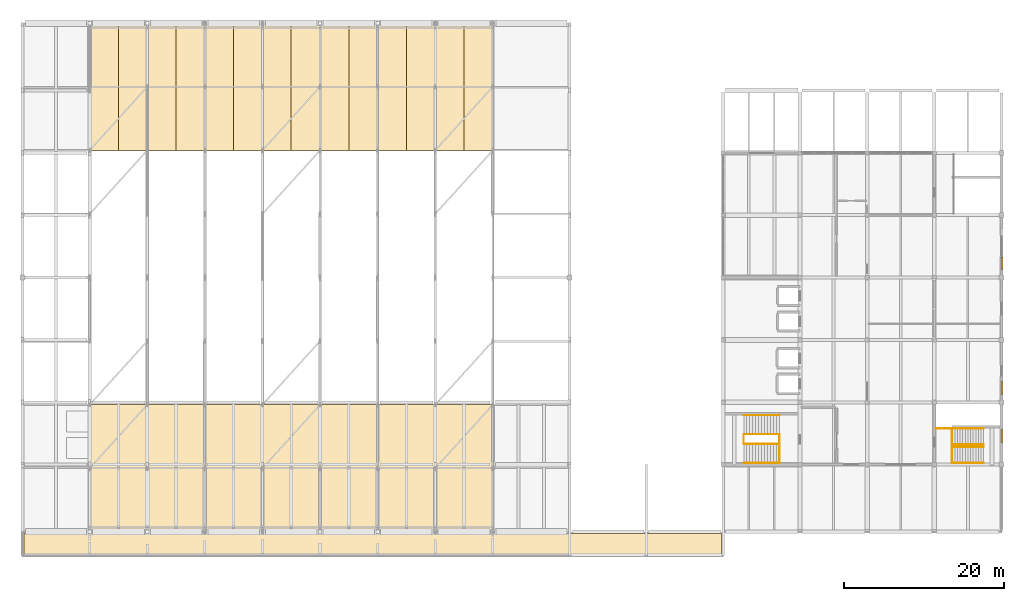
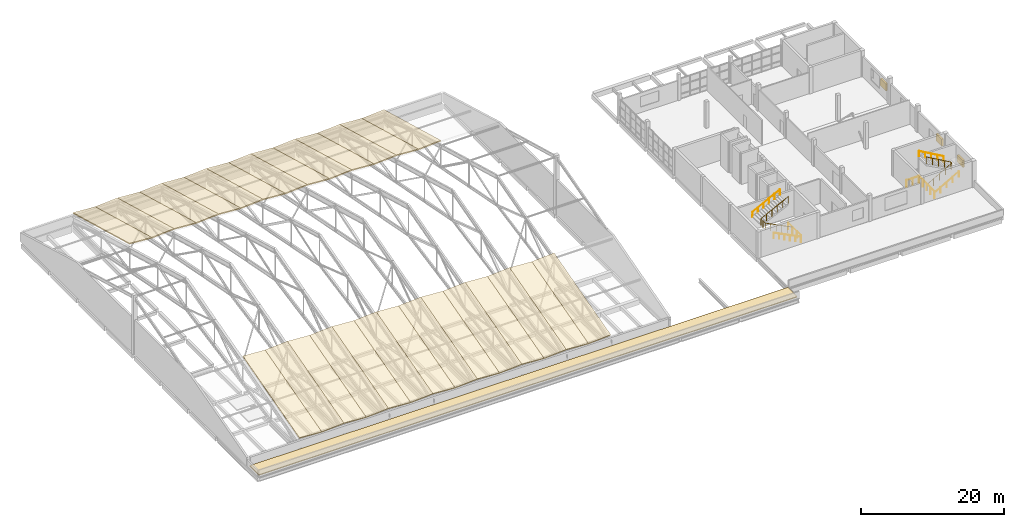
# One storey, part 52 of 53: 29 coverings, 8 railings, 3 shading devices.
"""IFC4 building model written with IfcOpenShell, lengths in metres."""

from ifc_helpers import new_model, si_unit, direction, frame, origin, origin_2d, place, context, subcontext, project, spatial, polyline, rectangle, circle, outline, extrude, material, layer, layer_set, type_object, element, save


model = new_model("IFC4")

# Units and contexts
model_context = context("Model", 3, precision=1e-05, world=origin(), true_north=direction((0.0, 1.0)))
body_context = subcontext(model_context, "Body", "Model", "MODEL_VIEW")
ifc_project = project(units=[si_unit("LENGTHUNIT", "METRE"), si_unit("AREAUNIT", "SQUARE_METRE"), si_unit("VOLUMEUNIT", "CUBIC_METRE"), si_unit("PLANEANGLEUNIT", "RADIAN"), si_unit("MASSUNIT", "GRAM", prefix="KILO")], contexts=[model_context])

# Site, building, storey
site_placement = place(None, origin())
site = spatial("IfcSite", under=ifc_project, at=site_placement, CompositionType="ELEMENT")
building_placement = place(site_placement, origin())
building = spatial("IfcBuilding", under=site, at=building_placement, Name="Pellamere Symphony Hall", CompositionType="ELEMENT")
storey_placement = place(building_placement, frame((0.0, 0.0, 24.0)))
storey = spatial("IfcBuildingStorey", under=building, at=storey_placement, Name="L05", CompositionType="ELEMENT", Elevation=24.0)

# Coverings
ifc_material_1 = material(Name="Standing-Seam Pre-Weathered Zinc Acoustic Roof Assembly", Category="aluminium")
ifc_layer_1 = layer(ifc_material_1, 0.159912109375, Name="Standing-Seam Pre-Weathered Zinc Acoustic Roof Assembly")
ifc_layer_set_1 = layer_set([ifc_layer_1], Name="Standing-Seam Pre-Weathered Zinc Acoustic Roof Assembly")
covering_type_1 = type_object("IfcCoveringType", Name="Envelope Covering RC-01 160mm", PredefinedType="ROOFING", material=ifc_layer_set_1)
covering_1_placement = place(storey_placement, frame((58.800048828125, 30.0, 1.89990234375), z_axis=(0.064140099885, -0.265041043219, 0.962101498282), x_axis=(0.997785157857, 0.0, -0.066519010524)))
element("IfcCovering", 1, at=covering_1_placement, inside=storey, type_object=covering_type_1, Name="Standing-Seam Zinc Crystal Roof Cladding 1.1", PredefinedType="ROOFING", context=body_context, shape_type="SweptSolid", body=[
    extrude(outline(polyline([(0.0, 0.0), (3.6078443212745532, 0.0), (3.3164826103841656, 16.48961840127618), (-0.2913617108903877, 16.48961840127618), (0.0, 0.0)])), origin(), (0.0, 0.0, -1.0), 0.159912109375),
])
covering_2_placement = place(storey_placement, frame((62.39990234375, 30.0, 1.659912109375), z_axis=(-0.064135768117, -0.26504111716, 0.962101766687), x_axis=(0.997785457248, 0.0, 0.066514519495)))
element("IfcCovering", 2, at=covering_2_placement, inside=storey, type_object=covering_type_1, Name="Standing-Seam Zinc Crystal Roof Cladding 1.2", PredefinedType="ROOFING", context=body_context, shape_type="SweptSolid", body=[
    extrude(outline(polyline([(0.0, 0.0), (3.608087921203156, 0.0), (3.8994299608179204, 16.489618748844133), (0.29134203961476457, 16.489618748844133), (0.0, 0.0)])), origin(), (0.0, 0.0, -1.0), 0.159912109375),
])
covering_3_placement = place(storey_placement, frame((58.800048828125, 77.699951171875, 6.280029296875), z_axis=(0.064140169067, 0.265037259486, 0.96210253601), x_axis=(0.997785157857, 0.0, -0.066519010524)))
element("IfcCovering", 3, at=covering_3_placement, inside=storey, type_object=covering_type_1, Name="Standing-Seam Zinc Crystal Roof Cladding 1.3", PredefinedType="ROOFING", context=body_context, shape_type="SweptSolid", body=[
    extrude(outline(polyline([(0.0, 0.0), (3.6078443212745532, 0.0), (3.899206032164941, 16.489853810859024), (0.2913617108903877, 16.489853810859024), (0.0, 0.0)])), origin(), (0.0, 0.0, -1.0), 0.159912109375),
])
covering_4_placement = place(storey_placement, frame((62.39990234375, 77.699951171875, 6.0400390625), z_axis=(-0.064135837294, 0.265037333426, 0.962102804416), x_axis=(0.997785457248, 0.0, 0.066514519495)))
element("IfcCovering", 4, at=covering_4_placement, inside=storey, type_object=covering_type_1, Name="Standing-Seam Zinc Crystal Roof Cladding 1.4", PredefinedType="ROOFING", context=body_context, shape_type="SweptSolid", body=[
    extrude(outline(polyline([(0.0, 0.0), (3.608087921203156, 0.0), (3.3167458815883912, 16.489854158422016), (-0.2913420396147646, 16.489854158422016), (0.0, 0.0)])), origin(), (0.0, 0.0, -1.0), 0.159912109375),
])
covering_5_placement = place(storey_placement, frame((66.0, 30.0, 1.89990234375), z_axis=(0.064135768117, -0.26504111716, 0.962101766687), x_axis=(0.997785457248, 0.0, -0.066514519495)))
element("IfcCovering", 5, at=covering_5_placement, inside=storey, type_object=covering_type_1, Name="Standing-Seam Zinc Crystal Roof Cladding 2.1", PredefinedType="ROOFING", context=body_context, shape_type="SweptSolid", body=[
    extrude(outline(polyline([(0.0, 0.0), (3.608087921203156, 0.0), (3.3167458815883912, 16.489618748844133), (-0.29134203961476457, 16.489618748844133), (0.0, 0.0)])), origin(), (0.0, 0.0, -1.0), 0.159912109375),
])
covering_6_placement = place(storey_placement, frame((69.60009765625, 30.0, 1.659912109375), z_axis=(-0.064140099885, -0.265041043219, 0.962101498282), x_axis=(0.997785157857, 0.0, 0.066519010524)))
element("IfcCovering", 6, at=covering_6_placement, inside=storey, type_object=covering_type_1, Name="Standing-Seam Zinc Crystal Roof Cladding 2.2", PredefinedType="ROOFING", context=body_context, shape_type="SweptSolid", body=[
    extrude(outline(polyline([(0.0, 0.0), (3.6078443212745532, 0.0), (3.899206032164941, 16.48961840127618), (0.2913617108903877, 16.48961840127618), (0.0, 0.0)])), origin(), (0.0, 0.0, -1.0), 0.159912109375),
])
covering_7_placement = place(storey_placement, frame((66.0, 77.699951171875, 6.280029296875), z_axis=(0.064135837294, 0.265037333426, 0.962102804416), x_axis=(0.997785457248, 0.0, -0.066514519495)))
element("IfcCovering", 7, at=covering_7_placement, inside=storey, type_object=covering_type_1, Name="Standing-Seam Zinc Crystal Roof Cladding 2.3", PredefinedType="ROOFING", context=body_context, shape_type="SweptSolid", body=[
    extrude(outline(polyline([(0.0, 0.0), (3.608087921203156, 0.0), (3.8994299608179204, 16.489854158422016), (0.2913420396147646, 16.489854158422016), (0.0, 0.0)])), origin(), (0.0, 0.0, -1.0), 0.159912109375),
])
covering_8_placement = place(storey_placement, frame((69.60009765625, 77.699951171875, 6.0400390625), z_axis=(-0.064140169067, 0.265037259486, 0.96210253601), x_axis=(0.997785157857, 0.0, 0.066519010524)))
element("IfcCovering", 8, at=covering_8_placement, inside=storey, type_object=covering_type_1, Name="Standing-Seam Zinc Crystal Roof Cladding 2.4", PredefinedType="ROOFING", context=body_context, shape_type="SweptSolid", body=[
    extrude(outline(polyline([(0.0, 0.0), (3.6078443212745532, 0.0), (3.3164826103841656, 16.489853810859024), (-0.2913617108903877, 16.489853810859024), (0.0, 0.0)])), origin(), (0.0, 0.0, -1.0), 0.159912109375),
])
covering_9_placement = place(storey_placement, frame((73.199951171875, 30.0, 1.89990234375), z_axis=(0.064135768117, -0.26504111716, 0.962101766687), x_axis=(0.997785457248, 0.0, -0.066514519495)))
element("IfcCovering", 9, at=covering_9_placement, inside=storey, type_object=covering_type_1, Name="Standing-Seam Zinc Crystal Roof Cladding 3.1", PredefinedType="ROOFING", context=body_context, shape_type="SweptSolid", body=[
    extrude(outline(polyline([(0.0, 0.0), (3.608087921203156, 0.0), (3.3167458815883912, 16.489618748844133), (-0.29134203961476457, 16.489618748844133), (0.0, 0.0)])), origin(), (0.0, 0.0, -1.0), 0.159912109375),
])
covering_10_placement = place(storey_placement, frame((76.800048828125, 30.0, 1.659912109375), z_axis=(-0.064140099885, -0.265041043219, 0.962101498282), x_axis=(0.997785157857, 0.0, 0.066519010524)))
element("IfcCovering", 10, at=covering_10_placement, inside=storey, type_object=covering_type_1, Name="Standing-Seam Zinc Crystal Roof Cladding 3.2", PredefinedType="ROOFING", context=body_context, shape_type="SweptSolid", body=[
    extrude(outline(polyline([(0.0, 0.0), (3.6078443212745532, 0.0), (3.899206032164941, 16.48961840127618), (0.2913617108903877, 16.48961840127618), (0.0, 0.0)])), origin(), (0.0, 0.0, -1.0), 0.159912109375),
])
covering_11_placement = place(storey_placement, frame((73.199951171875, 77.699951171875, 6.280029296875), z_axis=(0.064135837294, 0.265037333426, 0.962102804416), x_axis=(0.997785457248, 0.0, -0.066514519495)))
element("IfcCovering", 11, at=covering_11_placement, inside=storey, type_object=covering_type_1, Name="Standing-Seam Zinc Crystal Roof Cladding 3.3", PredefinedType="ROOFING", context=body_context, shape_type="SweptSolid", body=[
    extrude(outline(polyline([(0.0, 0.0), (3.608087921203156, 0.0), (3.8994299608179204, 16.489854158422016), (0.2913420396147646, 16.489854158422016), (0.0, 0.0)])), origin(), (0.0, 0.0, -1.0), 0.159912109375),
])
covering_12_placement = place(storey_placement, frame((76.800048828125, 77.699951171875, 6.0400390625), z_axis=(-0.064140169067, 0.265037259486, 0.96210253601), x_axis=(0.997785157857, 0.0, 0.066519010524)))
element("IfcCovering", 12, at=covering_12_placement, inside=storey, type_object=covering_type_1, Name="Standing-Seam Zinc Crystal Roof Cladding 3.4", PredefinedType="ROOFING", context=body_context, shape_type="SweptSolid", body=[
    extrude(outline(polyline([(0.0, 0.0), (3.6078443212745532, 0.0), (3.3164826103841656, 16.489853810859024), (-0.2913617108903877, 16.489853810859024), (0.0, 0.0)])), origin(), (0.0, 0.0, -1.0), 0.159912109375),
])
covering_13_placement = place(storey_placement, frame((80.39990234375, 30.0, 1.89990234375), z_axis=(0.064135768117, -0.26504111716, 0.962101766687), x_axis=(0.997785457248, 0.0, -0.066514519495)))
element("IfcCovering", 13, at=covering_13_placement, inside=storey, type_object=covering_type_1, Name="Standing-Seam Zinc Crystal Roof Cladding 4.1", PredefinedType="ROOFING", context=body_context, shape_type="SweptSolid", body=[
    extrude(outline(polyline([(0.0, 0.0), (3.608087921203156, 0.0), (3.3167458815883912, 16.489618748844133), (-0.29134203961476457, 16.489618748844133), (0.0, 0.0)])), origin(), (0.0, 0.0, -1.0), 0.159912109375),
])
covering_14_placement = place(storey_placement, frame((84.0, 30.0, 1.659912109375), z_axis=(-0.064135768117, -0.26504111716, 0.962101766687), x_axis=(0.997785457248, 0.0, 0.066514519495)))
element("IfcCovering", 14, at=covering_14_placement, inside=storey, type_object=covering_type_1, Name="Standing-Seam Zinc Crystal Roof Cladding 4.2", PredefinedType="ROOFING", context=body_context, shape_type="SweptSolid", body=[
    extrude(outline(polyline([(0.0, 0.0), (3.608087921203156, 0.0), (3.8994299608179204, 16.489618748844133), (0.29134203961476457, 16.489618748844133), (0.0, 0.0)])), origin(), (0.0, 0.0, -1.0), 0.159912109375),
])
covering_15_placement = place(storey_placement, frame((80.39990234375, 77.699951171875, 6.280029296875), z_axis=(0.064135837294, 0.265037333426, 0.962102804416), x_axis=(0.997785457248, 0.0, -0.066514519495)))
element("IfcCovering", 15, at=covering_15_placement, inside=storey, type_object=covering_type_1, Name="Standing-Seam Zinc Crystal Roof Cladding 4.3", PredefinedType="ROOFING", context=body_context, shape_type="SweptSolid", body=[
    extrude(outline(polyline([(0.0, 0.0), (3.608087921203156, 0.0), (3.8994299608179204, 16.489854158422016), (0.2913420396147646, 16.489854158422016), (0.0, 0.0)])), origin(), (0.0, 0.0, -1.0), 0.159912109375),
])
covering_16_placement = place(storey_placement, frame((84.0, 77.699951171875, 6.0400390625), z_axis=(-0.064135837294, 0.265037333426, 0.962102804416), x_axis=(0.997785457248, 0.0, 0.066514519495)))
element("IfcCovering", 16, at=covering_16_placement, inside=storey, type_object=covering_type_1, Name="Standing-Seam Zinc Crystal Roof Cladding 4.4", PredefinedType="ROOFING", context=body_context, shape_type="SweptSolid", body=[
    extrude(outline(polyline([(0.0, 0.0), (3.608087921203156, 0.0), (3.3167458815883912, 16.489854158422016), (-0.2913420396147646, 16.489854158422016), (0.0, 0.0)])), origin(), (0.0, 0.0, -1.0), 0.159912109375),
])
covering_17_placement = place(storey_placement, frame((87.60009765625, 30.0, 1.89990234375), z_axis=(0.064140099885, -0.265041043219, 0.962101498282), x_axis=(0.997785157857, 0.0, -0.066519010524)))
element("IfcCovering", 17, at=covering_17_placement, inside=storey, type_object=covering_type_1, Name="Standing-Seam Zinc Crystal Roof Cladding 5.1", PredefinedType="ROOFING", context=body_context, shape_type="SweptSolid", body=[
    extrude(outline(polyline([(0.0, 0.0), (3.6078443212745532, 0.0), (3.3164826103841656, 16.48961840127618), (-0.2913617108903877, 16.48961840127618), (0.0, 0.0)])), origin(), (0.0, 0.0, -1.0), 0.159912109375),
])
covering_18_placement = place(storey_placement, frame((91.199951171875, 30.0, 1.659912109375), z_axis=(-0.064135768117, -0.26504111716, 0.962101766687), x_axis=(0.997785457248, 0.0, 0.066514519495)))
element("IfcCovering", 18, at=covering_18_placement, inside=storey, type_object=covering_type_1, Name="Standing-Seam Zinc Crystal Roof Cladding 5.2", PredefinedType="ROOFING", context=body_context, shape_type="SweptSolid", body=[
    extrude(outline(polyline([(0.0, 0.0), (3.608087921203156, 0.0), (3.8994299608179204, 16.489618748844133), (0.29134203961476457, 16.489618748844133), (0.0, 0.0)])), origin(), (0.0, 0.0, -1.0), 0.159912109375),
])
covering_19_placement = place(storey_placement, frame((87.60009765625, 77.699951171875, 6.280029296875), z_axis=(0.064140169067, 0.265037259486, 0.96210253601), x_axis=(0.997785157857, 0.0, -0.066519010524)))
element("IfcCovering", 19, at=covering_19_placement, inside=storey, type_object=covering_type_1, Name="Standing-Seam Zinc Crystal Roof Cladding 5.3", PredefinedType="ROOFING", context=body_context, shape_type="SweptSolid", body=[
    extrude(outline(polyline([(0.0, 0.0), (3.6078443212745532, 0.0), (3.899206032164941, 16.489853810859024), (0.2913617108903877, 16.489853810859024), (0.0, 0.0)])), origin(), (0.0, 0.0, -1.0), 0.159912109375),
])
covering_20_placement = place(storey_placement, frame((91.199951171875, 77.699951171875, 6.0400390625), z_axis=(-0.064135837294, 0.265037333426, 0.962102804416), x_axis=(0.997785457248, 0.0, 0.066514519495)))
element("IfcCovering", 20, at=covering_20_placement, inside=storey, type_object=covering_type_1, Name="Standing-Seam Zinc Crystal Roof Cladding 5.4", PredefinedType="ROOFING", context=body_context, shape_type="SweptSolid", body=[
    extrude(outline(polyline([(0.0, 0.0), (3.608087921203156, 0.0), (3.3167458815883912, 16.489854158422016), (-0.2913420396147646, 16.489854158422016), (0.0, 0.0)])), origin(), (0.0, 0.0, -1.0), 0.159912109375),
])
covering_21_placement = place(storey_placement, frame((94.800048828125, 30.0, 1.89990234375), z_axis=(0.064140099885, -0.265041043219, 0.962101498282), x_axis=(0.997785157857, 0.0, -0.066519010524)))
element("IfcCovering", 21, at=covering_21_placement, inside=storey, type_object=covering_type_1, Name="Standing-Seam Zinc Crystal Roof Cladding 6.1", PredefinedType="ROOFING", context=body_context, shape_type="SweptSolid", body=[
    extrude(outline(polyline([(0.0, 0.0), (3.6078443212745532, 0.0), (3.3164826103841656, 16.48961840127618), (-0.2913617108903877, 16.48961840127618), (0.0, 0.0)])), origin(), (0.0, 0.0, -1.0), 0.159912109375),
])
covering_22_placement = place(storey_placement, frame((98.39990234375, 30.0, 1.659912109375), z_axis=(-0.064135768117, -0.26504111716, 0.962101766687), x_axis=(0.997785457248, 0.0, 0.066514519495)))
element("IfcCovering", 22, at=covering_22_placement, inside=storey, type_object=covering_type_1, Name="Standing-Seam Zinc Crystal Roof Cladding 6.2", PredefinedType="ROOFING", context=body_context, shape_type="SweptSolid", body=[
    extrude(outline(polyline([(0.0, 0.0), (3.608087921203156, 0.0), (3.8994299608179204, 16.489618748844133), (0.29134203961476457, 16.489618748844133), (0.0, 0.0)])), origin(), (0.0, 0.0, -1.0), 0.159912109375),
])
covering_23_placement = place(storey_placement, frame((94.800048828125, 77.699951171875, 6.280029296875), z_axis=(0.064140169067, 0.265037259486, 0.96210253601), x_axis=(0.997785157857, 0.0, -0.066519010524)))
element("IfcCovering", 23, at=covering_23_placement, inside=storey, type_object=covering_type_1, Name="Standing-Seam Zinc Crystal Roof Cladding 6.3", PredefinedType="ROOFING", context=body_context, shape_type="SweptSolid", body=[
    extrude(outline(polyline([(0.0, 0.0), (3.6078443212745532, 0.0), (3.899206032164941, 16.489853810859024), (0.2913617108903877, 16.489853810859024), (0.0, 0.0)])), origin(), (0.0, 0.0, -1.0), 0.159912109375),
])
covering_24_placement = place(storey_placement, frame((98.39990234375, 77.699951171875, 6.0400390625), z_axis=(-0.064135837294, 0.265037333426, 0.962102804416), x_axis=(0.997785457248, 0.0, 0.066514519495)))
element("IfcCovering", 24, at=covering_24_placement, inside=storey, type_object=covering_type_1, Name="Standing-Seam Zinc Crystal Roof Cladding 6.4", PredefinedType="ROOFING", context=body_context, shape_type="SweptSolid", body=[
    extrude(outline(polyline([(0.0, 0.0), (3.608087921203156, 0.0), (3.3167458815883912, 16.489854158422016), (-0.2913420396147646, 16.489854158422016), (0.0, 0.0)])), origin(), (0.0, 0.0, -1.0), 0.159912109375),
])
covering_25_placement = place(storey_placement, frame((102.0, 30.0, 1.89990234375), z_axis=(0.064135768117, -0.26504111716, 0.962101766687), x_axis=(0.997785457248, 0.0, -0.066514519495)))
element("IfcCovering", 25, at=covering_25_placement, inside=storey, type_object=covering_type_1, Name="Standing-Seam Zinc Crystal Roof Cladding 7.1", PredefinedType="ROOFING", context=body_context, shape_type="SweptSolid", body=[
    extrude(outline(polyline([(0.0, 0.0), (3.608087921203156, 0.0), (3.3167458815883912, 16.489618748844133), (-0.29134203961476457, 16.489618748844133), (0.0, 0.0)])), origin(), (0.0, 0.0, -1.0), 0.159912109375),
])
covering_26_placement = place(storey_placement, frame((105.60009765625, 30.0, 1.659912109375), z_axis=(-0.064140099885, -0.265041043219, 0.962101498282), x_axis=(0.997785157857, 0.0, 0.066519010524)))
element("IfcCovering", 26, at=covering_26_placement, inside=storey, type_object=covering_type_1, Name="Standing-Seam Zinc Crystal Roof Cladding 7.2", PredefinedType="ROOFING", context=body_context, shape_type="SweptSolid", body=[
    extrude(outline(polyline([(0.0, 0.0), (3.6078443212745532, 0.0), (3.899206032164941, 16.48961840127618), (0.2913617108903877, 16.48961840127618), (0.0, 0.0)])), origin(), (0.0, 0.0, -1.0), 0.159912109375),
])
covering_27_placement = place(storey_placement, frame((102.0, 77.699951171875, 6.280029296875), z_axis=(0.064135837294, 0.265037333426, 0.962102804416), x_axis=(0.997785457248, 0.0, -0.066514519495)))
element("IfcCovering", 27, at=covering_27_placement, inside=storey, type_object=covering_type_1, Name="Standing-Seam Zinc Crystal Roof Cladding 7.3", PredefinedType="ROOFING", context=body_context, shape_type="SweptSolid", body=[
    extrude(outline(polyline([(0.0, 0.0), (3.608087921203156, 0.0), (3.8994299608179204, 16.489854158422016), (0.2913420396147646, 16.489854158422016), (0.0, 0.0)])), origin(), (0.0, 0.0, -1.0), 0.159912109375),
])
covering_28_placement = place(storey_placement, frame((105.60009765625, 77.699951171875, 6.0400390625), z_axis=(-0.064140169067, 0.265037259486, 0.96210253601), x_axis=(0.997785157857, 0.0, 0.066519010524)))
element("IfcCovering", 28, at=covering_28_placement, inside=storey, type_object=covering_type_1, Name="Standing-Seam Zinc Crystal Roof Cladding 7.4", PredefinedType="ROOFING", context=body_context, shape_type="SweptSolid", body=[
    extrude(outline(polyline([(0.0, 0.0), (3.6078443212745532, 0.0), (3.3164826103841656, 16.489853810859024), (-0.2913617108903877, 16.489853810859024), (0.0, 0.0)])), origin(), (0.0, 0.0, -1.0), 0.159912109375),
])
ifc_material_2 = material(Name="High-Density Polyisocyanurate Thermal Roof Board", Category="concrete")
ifc_layer_2 = layer(ifc_material_2, 0.139892578125, Name="High-Density Polyisocyanurate Thermal Roof Board")
ifc_layer_set_2 = layer_set([ifc_layer_2], Name="High-Density Polyisocyanurate Thermal Roof Board")
covering_type_2 = type_object("IfcCoveringType", Name="Envelope Covering RC-03 140mm", PredefinedType="INSULATION", material=ifc_layer_set_2)
covering_29_placement = place(storey_placement, origin())
element("IfcCovering", 29, at=covering_29_placement, inside=storey, type_object=covering_type_2, Name="Winter-Garden Roof Thermal Insulation Layer", PredefinedType="INSULATION", context=body_context, shape_type="SweptSolid", body=[
    extrude(outline(polyline([(50.60009765625, 27.199951171875), (137.800048828125, 27.199951171875), (137.800048828125, 29.800048828125), (50.60009765625, 29.800048828125), (50.60009765625, 27.199951171875)])), origin(), (0.0, 0.0, 1.0), 0.139892578125),
])

# Shading devices
ifc_material_3 = material(Name="Champagne-Anodised Extruded Aluminium 6063-T6", Category="aluminium")
shading_device_type = type_object("IfcShadingDeviceType", Name="Exterior Shading SD-03 1600x300", PredefinedType="USERDEFINED", material=ifc_material_3)
for number, where, z_axis, x_axis, name in (
    (30, (172.860107421875, 42.0, 1.5), (0.0, 0.0, 1.0), (1.0, 0.0, 0.0), "Acoustic Plant Intake Louvre 01"),
    (31, (172.860107421875, 48.0, 1.5), (0.0, 0.0, 1.0), (1.0, 0.0, 0.0), "Acoustic Plant Intake Louvre 02"),
    (32, (172.860107421875, 63.60009765625, 1.5), (0.0, 0.0, 1.0), (1.0, 0.0, 0.0), "Acoustic Plant Intake Louvre 03"),
):
    element("IfcShadingDevice", number, at=place(storey_placement, frame(where, z_axis=z_axis, x_axis=x_axis)), inside=storey, type_object=shading_device_type, Name=name, ObjectType="ACOUSTIC LOUVRE", PredefinedType="USERDEFINED", context=body_context, shape_type="SweptSolid", body=[
        extrude(rectangle(XDim=0.300048828125, YDim=1.60009765625, at=origin_2d()), origin(), (0.0, 0.0, 1.0), 1.199951171875),
    ])

# Railings
ifc_material_4 = material(Name="Painted Steel CSA G40.21 350W", Category="steel")
railing_type_1 = type_object("IfcRailingType", Name="Guardrail GR-02 H1150 Painted", PredefinedType="GUARDRAIL", material=ifc_material_4)
railing_1_placement = place(storey_placement, frame((145.02490234375, 40.989990234375, 0.0)))
element("IfcRailing", 33, at=railing_1_placement, inside=storey, type_object=railing_type_1, Name="Stair ST02-L05 Continuous Well Guardrail (L05)", PredefinedType="GUARDRAIL", context=body_context, shape_type="SweptSolid", body=[
    extrude(circle(Radius=0.02392578125, at=origin_2d()), frame((0.0, 0.0, 1.1259765625), z_axis=(-0.892410782461, 0.0, 0.451223886057), x_axis=(0.0, -1.0, 0.0)), (0.0, 0.0, 1.0), 4.986328125),
    extrude(circle(Radius=0.02392578125, at=origin_2d()), frame((-4.449951171875, 0.0, 3.3759765625), z_axis=(0.0, 1.0, 0.0), x_axis=(-1.0, 0.0, 0.0)), (0.0, 0.0, 1.0), 1.219970703125),
    extrude(circle(Radius=0.02392578125, at=origin_2d()), frame((-4.449951171875, 1.219970703125, 3.3759765625), z_axis=(0.892410782461, 0.0, 0.451223886057), x_axis=(0.0, 1.0, 0.0)), (0.0, 0.0, 1.0), 4.986328125),
    extrude(circle(Radius=0.02099609375, at=origin_2d()), origin(), (0.0, 0.0, 1.0), 1.101806640625),
    extrude(circle(Radius=0.02099609375, at=origin_2d()), frame((-0.889892578125, 0.0, 0.449951171875)), (0.0, 0.0, 1.0), 1.101806640625),
    extrude(circle(Radius=0.02099609375, at=origin_2d()), frame((-1.780029296875, 0.0, 0.89990234375)), (0.0, 0.0, 1.0), 1.101806640625),
    extrude(circle(Radius=0.02099609375, at=origin_2d()), frame((-2.669921875, 0.0, 1.35009765625)), (0.0, 0.0, 1.0), 1.101806640625),
    extrude(circle(Radius=0.02099609375, at=origin_2d()), frame((-3.56005859375, 0.0, 1.800048828125)), (0.0, 0.0, 1.0), 1.101806640625),
    extrude(circle(Radius=0.02099609375, at=origin_2d()), frame((-4.449951171875, 0.0, 2.25)), (0.0, 0.0, 1.0), 1.101806640625),
    extrude(circle(Radius=0.02099609375, at=origin_2d()), frame((-4.449951171875, 0.60986328125, 2.25)), (0.0, 0.0, 1.0), 1.101806640625),
    extrude(circle(Radius=0.02099609375, at=origin_2d()), frame((-4.449951171875, 1.219970703125, 2.25)), (0.0, 0.0, 1.0), 1.101806640625),
    extrude(circle(Radius=0.02099609375, at=origin_2d()), frame((-3.56005859375, 1.219970703125, 2.699951171875)), (0.0, 0.0, 1.0), 1.101806640625),
    extrude(circle(Radius=0.02099609375, at=origin_2d()), frame((-2.669921875, 1.219970703125, 3.14990234375)), (0.0, 0.0, 1.0), 1.101806640625),
    extrude(circle(Radius=0.02099609375, at=origin_2d()), frame((-1.780029296875, 1.219970703125, 3.60009765625)), (0.0, 0.0, 1.0), 1.101806640625),
    extrude(circle(Radius=0.02099609375, at=origin_2d()), frame((-0.889892578125, 1.219970703125, 4.050048828125)), (0.0, 0.0, 1.0), 1.101806640625),
    extrude(circle(Radius=0.02099609375, at=origin_2d()), frame((0.0, 1.219970703125, 4.5)), (0.0, 0.0, 1.0), 1.101806640625),
])
railing_2_placement = place(storey_placement, frame((145.02490234375, 38.610107421875, 0.0)))
element("IfcRailing", 34, at=railing_2_placement, inside=storey, type_object=railing_type_1, Name="Stair ST02-L05 Landing Well Slot Guard (L05)", PredefinedType="GUARDRAIL", context=body_context, shape_type="SweptSolid", body=[
    extrude(circle(Radius=0.02392578125, at=origin_2d()), frame((0.0, 0.0, 1.1259765625), z_axis=(0.0, 1.0, 0.0), x_axis=(-1.0, 0.0, 0.0)), (0.0, 0.0, 1.0), 3.599853515625),
    extrude(circle(Radius=0.02099609375, at=origin_2d()), origin(), (0.0, 0.0, 1.0), 1.101806640625),
    extrude(circle(Radius=0.02099609375, at=origin_2d()), frame((0.0, 1.199951171875, 0.0)), (0.0, 0.0, 1.0), 1.101806640625),
    extrude(circle(Radius=0.02099609375, at=origin_2d()), frame((0.0, 2.39990234375, 0.0)), (0.0, 0.0, 1.0), 1.101806640625),
    extrude(circle(Radius=0.02099609375, at=origin_2d()), frame((0.0, 3.599853515625, 0.0)), (0.0, 0.0, 1.0), 1.101806640625),
])
railing_3_placement = place(storey_placement, frame((166.625, 40.639892578125, 0.0)))
element("IfcRailing", 35, at=railing_3_placement, inside=storey, type_object=railing_type_1, Name="Stair ST06-L05 Continuous Well Guardrail (L05)", PredefinedType="GUARDRAIL", context=body_context, shape_type="SweptSolid", body=[
    extrude(circle(Radius=0.02392578125, at=origin_2d()), frame((0.0, 0.0, 1.1259765625), z_axis=(0.868916562865, 0.0, 0.494958590974), x_axis=(0.0, 1.0, 0.0)), (0.0, 0.0, 1.0), 4.5458984375),
    extrude(circle(Radius=0.02392578125, at=origin_2d()), frame((3.949951171875, 0.0, 3.3759765625), z_axis=(0.0, 1.0, 0.0), x_axis=(-1.0, 0.0, 0.0)), (0.0, 0.0, 1.0), 0.280029296875),
    extrude(circle(Radius=0.02392578125, at=origin_2d()), frame((3.949951171875, 0.280029296875, 3.3759765625), z_axis=(-0.868916562865, 0.0, 0.494958590974), x_axis=(0.0, -1.0, 0.0)), (0.0, 0.0, 1.0), 4.5458984375),
    extrude(circle(Radius=0.02099609375, at=origin_2d()), origin(), (0.0, 0.0, 1.0), 1.101806640625),
    extrude(circle(Radius=0.02099609375, at=origin_2d()), frame((0.987548828125, 0.0, 0.5625)), (0.0, 0.0, 1.0), 1.101806640625),
    extrude(circle(Radius=0.02099609375, at=origin_2d()), frame((1.97509765625, 0.0, 1.125)), (0.0, 0.0, 1.0), 1.101806640625),
    extrude(circle(Radius=0.02099609375, at=origin_2d()), frame((2.96240234375, 0.0, 1.6875)), (0.0, 0.0, 1.0), 1.101806640625),
    extrude(circle(Radius=0.02099609375, at=origin_2d()), frame((3.949951171875, 0.0, 2.25)), (0.0, 0.0, 1.0), 1.101806640625),
    extrude(circle(Radius=0.02099609375, at=origin_2d()), frame((3.949951171875, 0.280029296875, 2.25)), (0.0, 0.0, 1.0), 1.101806640625),
    extrude(circle(Radius=0.02099609375, at=origin_2d()), frame((2.96240234375, 0.280029296875, 2.8125)), (0.0, 0.0, 1.0), 1.101806640625),
    extrude(circle(Radius=0.02099609375, at=origin_2d()), frame((1.97509765625, 0.280029296875, 3.375)), (0.0, 0.0, 1.0), 1.101806640625),
    extrude(circle(Radius=0.02099609375, at=origin_2d()), frame((0.987548828125, 0.280029296875, 3.9375)), (0.0, 0.0, 1.0), 1.101806640625),
    extrude(circle(Radius=0.02099609375, at=origin_2d()), frame((0.0, 0.280029296875, 4.5)), (0.0, 0.0, 1.0), 1.101806640625),
])
railing_4_placement = place(storey_placement, frame((166.625, 38.610107421875, 0.0)))
element("IfcRailing", 36, at=railing_4_placement, inside=storey, type_object=railing_type_1, Name="Stair ST06-L05 Landing Well Slot Guard (L05)", PredefinedType="GUARDRAIL", context=body_context, shape_type="SweptSolid", body=[
    extrude(circle(Radius=0.02392578125, at=origin_2d()), frame((0.0, 0.0, 1.1259765625), z_axis=(0.0, 1.0, 0.0), x_axis=(-1.0, 0.0, 0.0)), (0.0, 0.0, 1.0), 4.33984375),
    extrude(circle(Radius=0.02392578125, at=origin_2d()), frame((0.0, 4.33984375, 1.1259765625), z_axis=(-1.0, 0.0, 0.0), x_axis=(0.0, -1.0, 0.0)), (0.0, 0.0, 1.0), 2.014892578125),
    extrude(circle(Radius=0.02099609375, at=origin_2d()), origin(), (0.0, 0.0, 1.0), 1.101806640625),
    extrude(circle(Radius=0.02099609375, at=origin_2d()), frame((0.0, 1.0849609375, 0.0)), (0.0, 0.0, 1.0), 1.101806640625),
    extrude(circle(Radius=0.02099609375, at=origin_2d()), frame((0.0, 2.169921875, 0.0)), (0.0, 0.0, 1.0), 1.101806640625),
    extrude(circle(Radius=0.02099609375, at=origin_2d()), frame((0.0, 3.2548828125, 0.0)), (0.0, 0.0, 1.0), 1.101806640625),
    extrude(circle(Radius=0.02099609375, at=origin_2d()), frame((0.0, 4.33984375, 0.0)), (0.0, 0.0, 1.0), 1.101806640625),
    extrude(circle(Radius=0.02099609375, at=origin_2d()), frame((-1.00732421875, 4.33984375, 0.0)), (0.0, 0.0, 1.0), 1.101806640625),
    extrude(circle(Radius=0.02099609375, at=origin_2d()), frame((-2.014892578125, 4.33984375, 0.0)), (0.0, 0.0, 1.0), 1.101806640625),
])
ifc_material_5 = material(Name="Stainless Steel AISI 316", Category="steel")
railing_type_2 = type_object("IfcRailingType", Name="Handrail HR-01 H920 Stainless", PredefinedType="HANDRAIL", material=ifc_material_5)
railing_5_placement = place(storey_placement, frame((145.02490234375, 38.6201171875, 0.0)))
element("IfcRailing", 37, at=railing_5_placement, inside=storey, type_object=railing_type_2, Name="Stair ST02-L05 Lower Wall Handrail (L05)", PredefinedType="HANDRAIL", context=body_context, shape_type="SweptSolid", body=[
    extrude(circle(Radius=0.02392578125, at=origin_2d()), frame((0.0, 0.0, 0.89599609375), z_axis=(-0.892410782461, 0.0, 0.451223886057), x_axis=(0.0, -1.0, 0.0)), (0.0, 0.0, 1.0), 4.986328125),
    extrude(circle(Radius=0.02099609375, at=origin_2d()), origin(), (0.0, 0.0, 1.0), 0.871826171875),
    extrude(circle(Radius=0.02099609375, at=origin_2d()), frame((-0.889892578125, 0.0, 0.449951171875)), (0.0, 0.0, 1.0), 0.871826171875),
    extrude(circle(Radius=0.02099609375, at=origin_2d()), frame((-1.780029296875, 0.0, 0.89990234375)), (0.0, 0.0, 1.0), 0.871826171875),
    extrude(circle(Radius=0.02099609375, at=origin_2d()), frame((-2.669921875, 0.0, 1.35009765625)), (0.0, 0.0, 1.0), 0.871826171875),
    extrude(circle(Radius=0.02099609375, at=origin_2d()), frame((-3.56005859375, 0.0, 1.800048828125)), (0.0, 0.0, 1.0), 0.871826171875),
    extrude(circle(Radius=0.02099609375, at=origin_2d()), frame((-4.449951171875, 0.0, 2.25)), (0.0, 0.0, 1.0), 0.871826171875),
])
railing_6_placement = place(storey_placement, frame((140.574951171875, 44.580078125, 2.25)))
element("IfcRailing", 38, at=railing_6_placement, inside=storey, type_object=railing_type_2, Name="Stair ST02-L05 Upper Wall Handrail (L05)", PredefinedType="HANDRAIL", context=body_context, shape_type="SweptSolid", body=[
    extrude(circle(Radius=0.02392578125, at=origin_2d()), frame((0.0, 0.0, 0.89599609375), z_axis=(0.892410782461, 0.0, 0.451223886057), x_axis=(0.0, 1.0, 0.0)), (0.0, 0.0, 1.0), 4.986328125),
    extrude(circle(Radius=0.02099609375, at=origin_2d()), origin(), (0.0, 0.0, 1.0), 0.871826171875),
    extrude(circle(Radius=0.02099609375, at=origin_2d()), frame((0.889892578125, 0.0, 0.449951171875)), (0.0, 0.0, 1.0), 0.871826171875),
    extrude(circle(Radius=0.02099609375, at=origin_2d()), frame((1.780029296875, 0.0, 0.89990234375)), (0.0, 0.0, 1.0), 0.871826171875),
    extrude(circle(Radius=0.02099609375, at=origin_2d()), frame((2.669921875, 0.0, 1.35009765625)), (0.0, 0.0, 1.0), 0.871826171875),
    extrude(circle(Radius=0.02099609375, at=origin_2d()), frame((3.56005859375, 0.0, 1.800048828125)), (0.0, 0.0, 1.0), 0.871826171875),
    extrude(circle(Radius=0.02099609375, at=origin_2d()), frame((4.449951171875, 0.0, 2.25)), (0.0, 0.0, 1.0), 0.871826171875),
])
railing_7_placement = place(storey_placement, frame((166.625, 38.6201171875, 0.0)))
element("IfcRailing", 39, at=railing_7_placement, inside=storey, type_object=railing_type_2, Name="Stair ST06-L05 Lower Wall Handrail (L05)", PredefinedType="HANDRAIL", context=body_context, shape_type="SweptSolid", body=[
    extrude(circle(Radius=0.02392578125, at=origin_2d()), frame((0.0, 0.0, 0.89599609375), z_axis=(0.868916562865, 0.0, 0.494958590974), x_axis=(0.0, 1.0, 0.0)), (0.0, 0.0, 1.0), 4.5458984375),
    extrude(circle(Radius=0.02099609375, at=origin_2d()), origin(), (0.0, 0.0, 1.0), 0.871826171875),
    extrude(circle(Radius=0.02099609375, at=origin_2d()), frame((0.987548828125, 0.0, 0.5625)), (0.0, 0.0, 1.0), 0.871826171875),
    extrude(circle(Radius=0.02099609375, at=origin_2d()), frame((1.97509765625, 0.0, 1.125)), (0.0, 0.0, 1.0), 0.871826171875),
    extrude(circle(Radius=0.02099609375, at=origin_2d()), frame((2.96240234375, 0.0, 1.6875)), (0.0, 0.0, 1.0), 0.871826171875),
    extrude(circle(Radius=0.02099609375, at=origin_2d()), frame((3.949951171875, 0.0, 2.25)), (0.0, 0.0, 1.0), 0.871826171875),
])
railing_8_placement = place(storey_placement, frame((170.574951171875, 42.93994140625, 2.25)))
element("IfcRailing", 40, at=railing_8_placement, inside=storey, type_object=railing_type_2, Name="Stair ST06-L05 Upper Wall Handrail (L05)", PredefinedType="HANDRAIL", context=body_context, shape_type="SweptSolid", body=[
    extrude(circle(Radius=0.02392578125, at=origin_2d()), frame((0.0, 0.0, 0.89599609375), z_axis=(-0.868916562865, 0.0, 0.494958590974), x_axis=(0.0, -1.0, 0.0)), (0.0, 0.0, 1.0), 4.5458984375),
    extrude(circle(Radius=0.02099609375, at=origin_2d()), origin(), (0.0, 0.0, 1.0), 0.871826171875),
    extrude(circle(Radius=0.02099609375, at=origin_2d()), frame((-0.987548828125, 0.0, 0.5625)), (0.0, 0.0, 1.0), 0.871826171875),
    extrude(circle(Radius=0.02099609375, at=origin_2d()), frame((-1.97509765625, 0.0, 1.125)), (0.0, 0.0, 1.0), 0.871826171875),
    extrude(circle(Radius=0.02099609375, at=origin_2d()), frame((-2.96240234375, 0.0, 1.6875)), (0.0, 0.0, 1.0), 0.871826171875),
    extrude(circle(Radius=0.02099609375, at=origin_2d()), frame((-3.949951171875, 0.0, 2.25)), (0.0, 0.0, 1.0), 0.871826171875),
])

save(model, "model.ifc")
